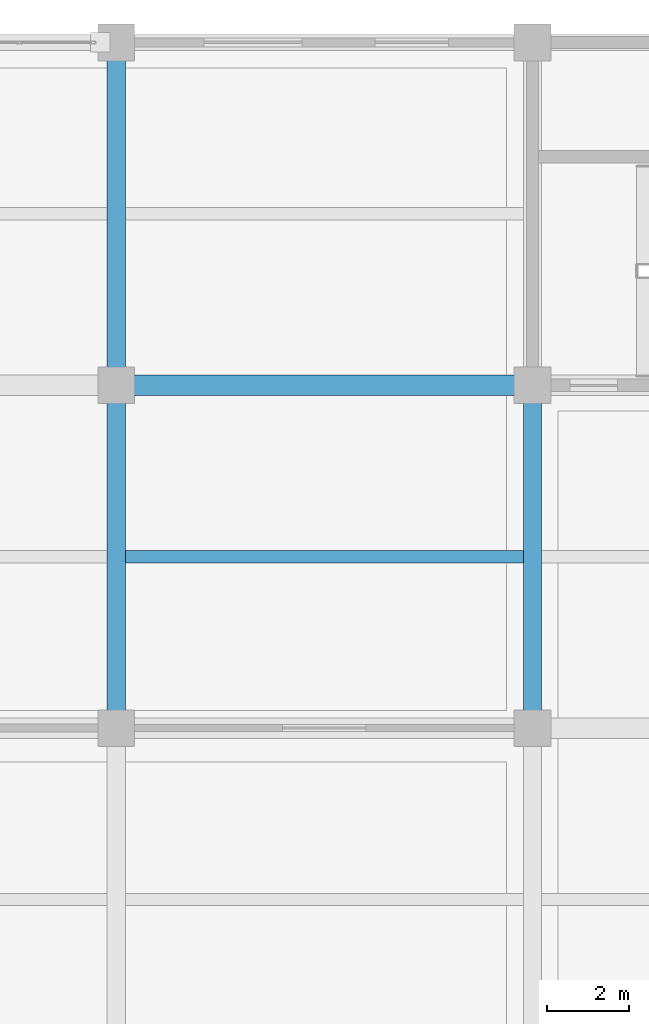
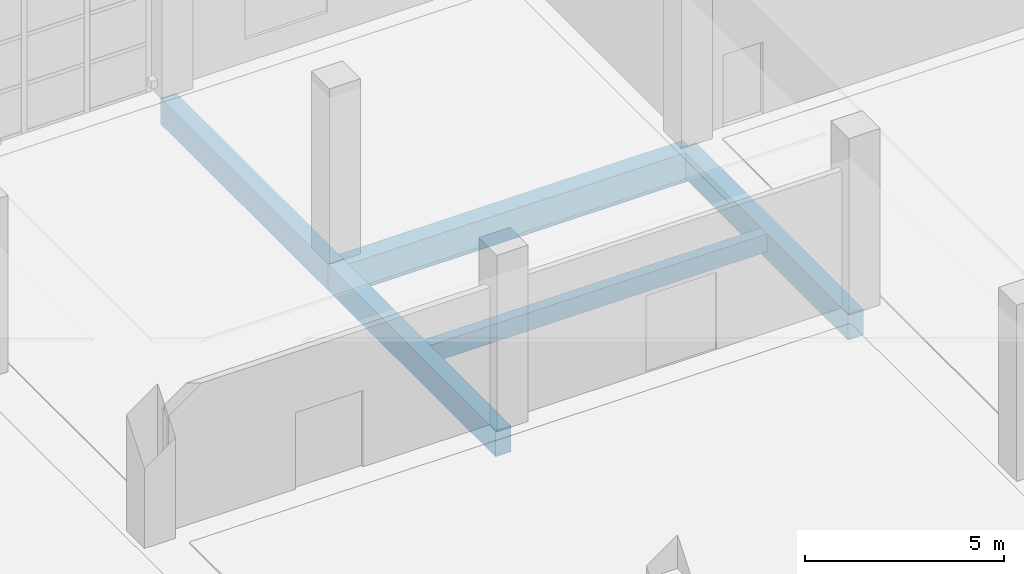
# One storey, part 94 of 175: 5 beams.
"""IFC4 building model written with IfcOpenShell, lengths in metres."""

from ifc_helpers import new_model, si_unit, direction, frame, origin, origin_2d, place, context, subcontext, project, spatial, rectangle, extrude, material, material_profile, profile_set, type_object, element, save


model = new_model("IFC4")

# Units and contexts
model_context = context("Model", 3, precision=1e-05, world=origin(), true_north=direction((0.0, 1.0)))
body_context = subcontext(model_context, "Body", "Model", "MODEL_VIEW")
ifc_project = project(units=[si_unit("LENGTHUNIT", "METRE"), si_unit("AREAUNIT", "SQUARE_METRE"), si_unit("VOLUMEUNIT", "CUBIC_METRE"), si_unit("PLANEANGLEUNIT", "RADIAN"), si_unit("MASSUNIT", "GRAM", prefix="KILO")], contexts=[model_context])

# Site, building, storey
site_placement = place(None, origin())
site = spatial("IfcSite", under=ifc_project, at=site_placement, CompositionType="ELEMENT")
building_placement = place(site_placement, origin())
building = spatial("IfcBuilding", under=site, at=building_placement, Name="Brelvane Convention Centre", CompositionType="ELEMENT")
storey_placement = place(building_placement, frame((0.0, 0.0, 5.39990234375)))
storey = spatial("IfcBuildingStorey", under=building, at=storey_placement, Name="L01", CompositionType="ELEMENT", Elevation=5.39990234375)

# Beams
ifc_material_1 = material(Name="Concrete M40", Category="concrete")
ifc_material_profile_1 = material_profile(ifc_material_1, rectangle(XDim=0.5, YDim=0.89990234375, at=origin_2d()), Name="RC 500x900")
ifc_profile_set_1 = profile_set([ifc_material_profile_1], Name="Concrete M40")
beam_type_1 = type_object("IfcBeamType", Name="RC Beam B-RC4 (RC 500x900)", PredefinedType="BEAM", material=ifc_profile_set_1)
beam_1_placement = place(storey_placement, frame((81.60009765625, 135.60009765625, -0.77001953125), z_axis=(1.0, 0.0, 0.0), x_axis=(0.0, 1.0, 0.0)))
element("IfcBeam", 1, at=beam_1_placement, inside=storey, type_object=beam_type_1, Name="L01 Beam 9-10/P", PredefinedType="BEAM", context=body_context, shape_type="SweptSolid", body=[
    extrude(rectangle(XDim=0.5, YDim=0.89990234375, at=origin_2d()), origin(), (0.0, 0.0, 1.0), 10.199951171875),
])
ifc_material_2 = material(Name="Concrete M40", Category="concrete")
ifc_material_profile_2 = material_profile(ifc_material_2, rectangle(XDim=0.449951171875, YDim=0.800048828125, at=origin_2d()), Name="RC 450x800")
ifc_profile_set_2 = profile_set([ifc_material_profile_2], Name="Concrete M40")
beam_type_2 = type_object("IfcBeamType", Name="RC Beam B-RC5 (RC 450x800)", PredefinedType="BEAM", material=ifc_profile_set_2)
beam_2_placement = place(storey_placement, frame((81.60009765625, 127.199951171875, -0.719970703125), z_axis=(0.0, 1.0, 0.0), x_axis=(-1.0, 0.0, 0.0)))
element("IfcBeam", 2, at=beam_2_placement, inside=storey, type_object=beam_type_2, Name="L01 Girder 9/N-P", PredefinedType="BEAM", context=body_context, shape_type="SweptSolid", body=[
    extrude(rectangle(XDim=0.449951171875, YDim=0.800048828125, at=origin_2d()), origin(), (0.0, 0.0, 1.0), 8.400146484375),
])
beam_3_placement = place(storey_placement, frame((81.60009765625, 135.60009765625, -0.719970703125), z_axis=(0.0, 1.0, 0.0), x_axis=(-1.0, 0.0, 0.0)))
element("IfcBeam", 3, at=beam_3_placement, inside=storey, type_object=beam_type_2, Name="L01 Girder 9/P-Q", PredefinedType="BEAM", context=body_context, shape_type="SweptSolid", body=[
    extrude(rectangle(XDim=0.449951171875, YDim=0.800048828125, at=origin_2d()), origin(), (0.0, 0.0, 1.0), 8.39990234375),
])
beam_4_placement = place(storey_placement, frame((91.800048828125, 127.199951171875, -0.719970703125), z_axis=(0.0, 1.0, 0.0), x_axis=(-1.0, 0.0, 0.0)))
element("IfcBeam", 4, at=beam_4_placement, inside=storey, type_object=beam_type_2, Name="L01 Girder 10/N-P", PredefinedType="BEAM", context=body_context, shape_type="SweptSolid", body=[
    extrude(rectangle(XDim=0.449951171875, YDim=0.800048828125, at=origin_2d()), origin(), (0.0, 0.0, 1.0), 8.400146484375),
])
ifc_material_3 = material(Name="Concrete M40", Category="concrete")
ifc_material_profile_3 = material_profile(ifc_material_3, rectangle(XDim=0.300048828125, YDim=0.550048828125, at=origin_2d()), Name="RC 300x550")
ifc_profile_set_3 = profile_set([ifc_material_profile_3], Name="Concrete M40")
beam_type_3 = type_object("IfcBeamType", Name="RC Joist J-RC1 (RC 300x550)", PredefinedType="JOIST", material=ifc_profile_set_3)
beam_5_placement = place(storey_placement, frame((81.824951171875, 131.39990234375, -0.594970703125), z_axis=(1.0, 0.0, 0.0), x_axis=(0.0, 1.0, 0.0)))
element("IfcBeam", 5, at=beam_5_placement, inside=storey, type_object=beam_type_3, Name="L01 Secondary Joist 9-10/NP", PredefinedType="JOIST", context=body_context, shape_type="SweptSolid", body=[
    extrude(rectangle(XDim=0.300048828125, YDim=0.550048828125, at=origin_2d()), origin(), (0.0, 0.0, 1.0), 9.75),
])

save(model, "model.ifc")
